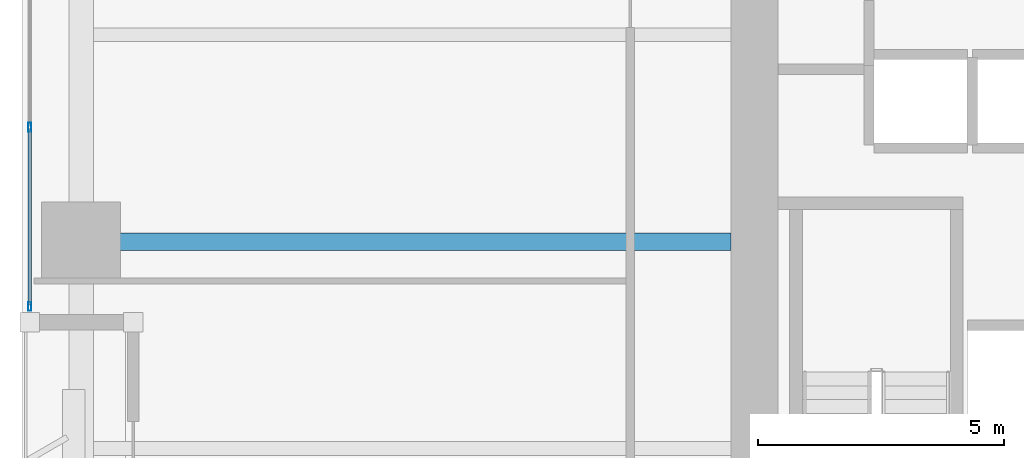
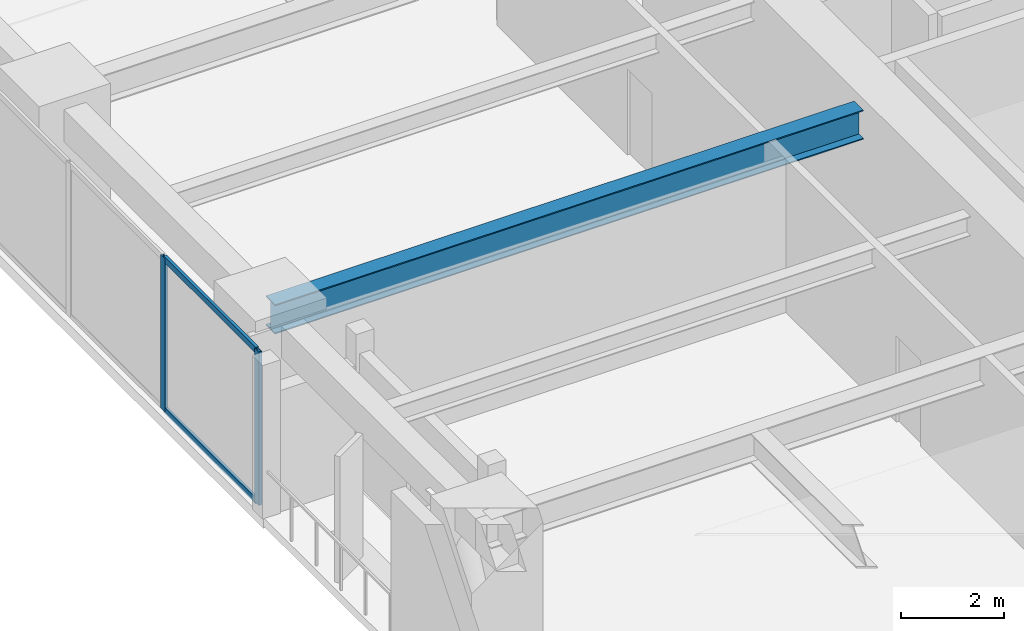
# One storey, part 2 of 29: 4 members, 1 beam, 1 element without a shape of its own.
"""IFC4 building model written with IfcOpenShell, lengths in metres."""

from ifc_helpers import new_model, si_unit, direction, frame, origin, origin_2d, place, context, subcontext, project, spatial, hollow_rectangle, i_section, extrude, material, layer, layer_set, material_profile, profile_set, type_object, element, aggregate, save


model = new_model("IFC4")

# Units and contexts
model_context = context("Model", 3, precision=1e-05, world=origin(), true_north=direction((0.0, 1.0)))
body_context = subcontext(model_context, "Body", "Model", "MODEL_VIEW")
ifc_project = project(units=[si_unit("LENGTHUNIT", "METRE"), si_unit("AREAUNIT", "SQUARE_METRE"), si_unit("VOLUMEUNIT", "CUBIC_METRE"), si_unit("PLANEANGLEUNIT", "RADIAN"), si_unit("MASSUNIT", "GRAM", prefix="KILO")], contexts=[model_context])

# Site, building, storey
site_placement = place(None, origin())
site = spatial("IfcSite", under=ifc_project, at=site_placement, CompositionType="ELEMENT")
building_placement = place(site_placement, origin())
building = spatial("IfcBuilding", under=site, at=building_placement, Name="Kiyonajd Concourse Tower", CompositionType="ELEMENT")
storey_placement = place(building_placement, frame((0.0, 0.0, 25.5)))
storey = spatial("IfcBuildingStorey", under=building, at=storey_placement, Name="L07", CompositionType="ELEMENT", Elevation=25.5)

# Beam
ifc_material_1 = material(Name="Steel ASTM A992 Grade 50", Category="steel")
ifc_material_profile_1 = material_profile(ifc_material_1, i_section(OverallWidth=0.35498046875, OverallDepth=0.695068359375, WebThickness=0.015380859375, FlangeThickness=0.02490234375, at=origin_2d()), Name="W690X217")
ifc_profile_set_1 = profile_set([ifc_material_profile_1], Name="Steel ASTM A992 Grade 50")
beam_type = type_object("IfcBeamType", Name="BM-TWR-690", PredefinedType="BEAM", material=ifc_profile_set_1)
beam_placement = place(storey_placement, frame((19.199951171875, 36.0, 3.29248046875), z_axis=(1.0, 0.0, 0.0), x_axis=(0.0, 1.0, 0.0)))
element("IfcBeam", 1, at=beam_placement, inside=storey, type_object=beam_type, Name="L07 West Lease Girder", PredefinedType="BEAM", context=body_context, shape_type="SweptSolid", body=[
    extrude(i_section(OverallWidth=0.35498046875, OverallDepth=0.695068359375, WebThickness=0.015380859375, FlangeThickness=0.02490234375, at=origin_2d()), origin(), (0.0, 0.0, 1.0), 13.199951171875),
])

# Curtain wall, members
ifc_material_2 = material(Name="Thermally Broken Anodised Aluminium", Category="aluminium")
ifc_layer = layer(ifc_material_2, 0.179931640625)
ifc_layer_set = layer_set([ifc_layer], Name="Thermally Broken Anodised Aluminium")
curtain_wall_type = type_object("IfcCurtainWallType", Name="CW-SYS-02", PredefinedType="NOTDEFINED", material=ifc_layer_set)
curtain_wall_placement = place(storey_placement, origin())
curtain_wall = element("IfcCurtainWall", 2, at=curtain_wall_placement, inside=storey, type_object=curtain_wall_type, Name="L07 Unitised Curtain Wall CW2", PredefinedType="NOTDEFINED")
ifc_material_profile_2 = material_profile(ifc_material_2, hollow_rectangle(XDim=0.06494140625, YDim=0.179931640625, WallThickness=0.00390625, at=origin_2d()), Name="MULL-65x180")
ifc_profile_set_2 = profile_set([ifc_material_profile_2], Name="Thermally Broken Anodised Aluminium")
member_type_1 = type_object("IfcMemberType", Name="MB-CW-MULL1", PredefinedType="MULLION", material=ifc_profile_set_2)
member_1_placement = place(storey_placement, frame((18.159912109375, 34.6826171875, 0.0), z_axis=(0.0, 0.0, 1.0), x_axis=(-1.0, 0.0, 0.0)))
member_1 = element("IfcMember", 3, at=member_1_placement, type_object=member_type_1, Name="CW2 mullion 1", PredefinedType="MULLION", context=body_context, shape_type="SweptSolid", body=[
    extrude(hollow_rectangle(XDim=0.06494140625, YDim=0.179931640625, WallThickness=0.00390625, at=origin_2d()), origin(), (0.0, 0.0, 1.0), 3.639892578125),
])
member_2_placement = place(storey_placement, frame((18.159912109375, 38.3232421875, 0.0), z_axis=(0.0, 0.0, 1.0), x_axis=(-1.0, 0.0, 0.0)))
member_2 = element("IfcMember", 4, at=member_2_placement, type_object=member_type_1, Name="CW2 mullion 2", PredefinedType="MULLION", context=body_context, shape_type="SweptSolid", body=[
    extrude(hollow_rectangle(XDim=0.06494140625, YDim=0.179931640625, WallThickness=0.00390625, at=origin_2d()), origin(), (0.0, 0.0, 1.0), 3.639892578125),
])
ifc_material_profile_3 = material_profile(ifc_material_2, hollow_rectangle(XDim=0.06494140625, YDim=0.139892578125, WallThickness=0.00390625, at=origin_2d()), Name="TRAN-65x140")
ifc_profile_set_3 = profile_set([ifc_material_profile_3], Name="Thermally Broken Anodised Aluminium")
member_type_2 = type_object("IfcMemberType", Name="MB-CW-TRAN1", PredefinedType="USERDEFINED", material=ifc_profile_set_3)
member_3_placement = place(storey_placement, frame((18.159912109375, 34.715087890625, 0.032470703125), z_axis=(0.0, 1.0, 0.0), x_axis=(-1.0, 0.0, 0.0)))
member_3 = element("IfcMember", 5, at=member_3_placement, type_object=member_type_2, Name="CW2 transom 1.1", ObjectType="TRANSOM", PredefinedType="USERDEFINED", context=body_context, shape_type="SweptSolid", body=[
    extrude(hollow_rectangle(XDim=0.06494140625, YDim=0.139892578125, WallThickness=0.00390625, at=origin_2d()), origin(), (0.0, 0.0, 1.0), 3.57568359375),
])
member_4_placement = place(storey_placement, frame((18.159912109375, 34.715087890625, 3.607421875), z_axis=(0.0, 1.0, 0.0), x_axis=(-1.0, 0.0, 0.0)))
member_4 = element("IfcMember", 6, at=member_4_placement, type_object=member_type_2, Name="CW2 transom 1.2", ObjectType="TRANSOM", PredefinedType="USERDEFINED", context=body_context, shape_type="SweptSolid", body=[
    extrude(hollow_rectangle(XDim=0.06494140625, YDim=0.139892578125, WallThickness=0.00390625, at=origin_2d()), origin(), (0.0, 0.0, 1.0), 3.57568359375),
])
aggregate(curtain_wall, [member_1, member_2, member_3, member_4])

save(model, "model.ifc")
